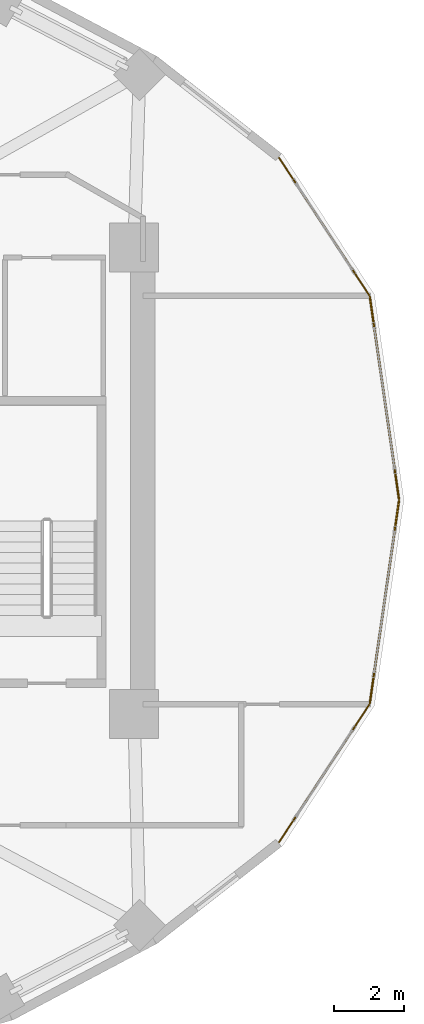
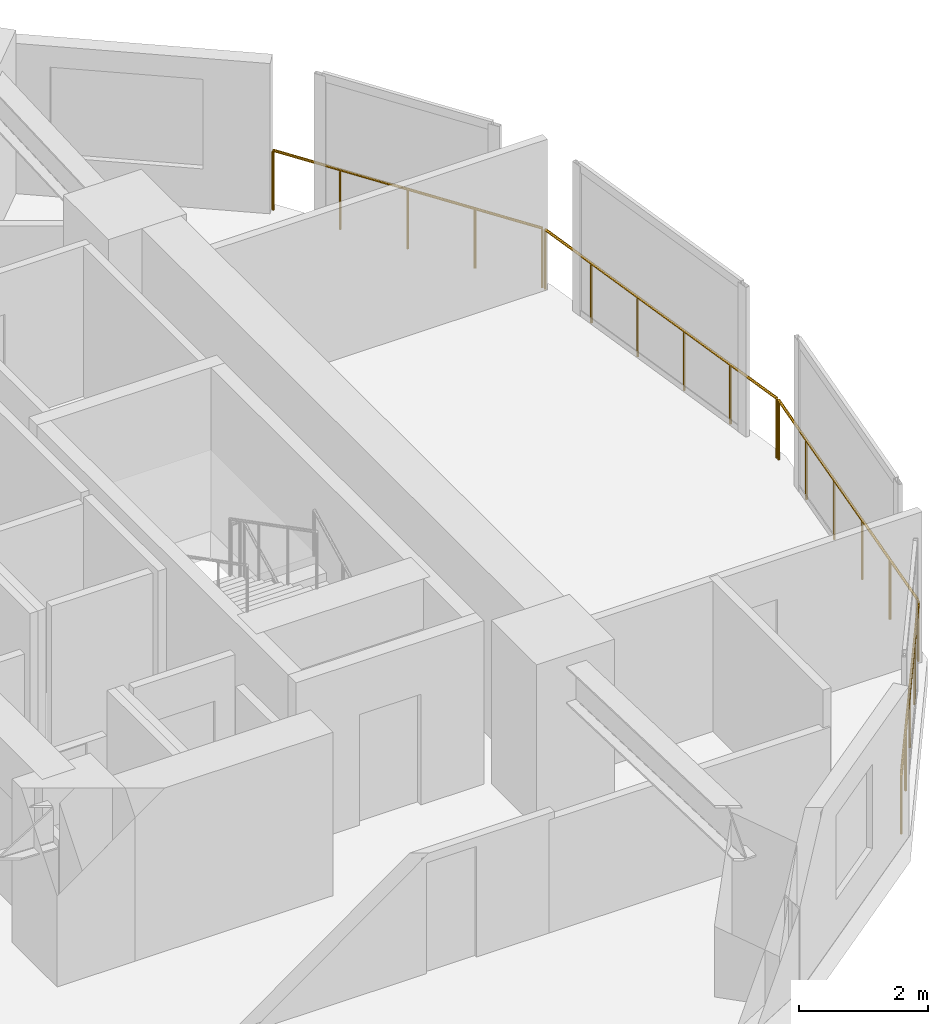
# One storey, part 13 of 13: 4 railings.
"""IFC4 building model written with IfcOpenShell, lengths in metres."""

from ifc_helpers import new_model, si_unit, direction, frame, origin, origin_2d, place, context, subcontext, project, spatial, circle, extrude, material, type_object, element, save


model = new_model("IFC4")

# Units and contexts
model_context = context("Model", 3, precision=1e-05, world=origin(), true_north=direction((0.0, 1.0)))
body_context = subcontext(model_context, "Body", "Model", "MODEL_VIEW")
ifc_project = project(units=[si_unit("LENGTHUNIT", "METRE"), si_unit("AREAUNIT", "SQUARE_METRE"), si_unit("VOLUMEUNIT", "CUBIC_METRE"), si_unit("PLANEANGLEUNIT", "RADIAN"), si_unit("MASSUNIT", "GRAM", prefix="KILO")], contexts=[model_context])

# Site, building, storey
site_placement = place(None, origin())
site = spatial("IfcSite", under=ifc_project, at=site_placement, CompositionType="ELEMENT")
building_placement = place(site_placement, origin())
building = spatial("IfcBuilding", under=site, at=building_placement, Name="Solvane Sanctuary Tower", CompositionType="ELEMENT")
storey_placement = place(building_placement, frame((0.0, 0.0, 85.60009765625)))
storey = spatial("IfcBuildingStorey", under=building, at=storey_placement, Name="L25", CompositionType="ELEMENT", Elevation=85.60009765625)

# Railings
ifc_material = material(Name="Architectural Stainless Steel 316", Category="steel")
railing_type = type_object("IfcRailingType", Name="Railing GR-BALC-1150", PredefinedType="BALUSTRADE", material=ifc_material)
railing_1_placement = place(storey_placement, frame((56.255615234375, 23.02978515625, 0.0)))
element("IfcRailing", 1, at=railing_1_placement, inside=storey, type_object=railing_type, Name="L25 Curtain-Wall Perimeter Sill Guard 00", PredefinedType="BALUSTRADE", context=body_context, shape_type="SweptSolid", body=[
    extrude(circle(Radius=0.02392578125, at=origin_2d()), frame((0.0, 0.0, 1.1259765625), z_axis=(-0.142572582449, 0.98978434961, 0.0), x_axis=(-0.98978434961, -0.142572582449, 0.0)), (0.0, 0.0, 1.0), 5.818603515625),
    extrude(circle(Radius=0.02099609375, at=origin_2d()), origin(), (0.0, 0.0, 1.0), 1.101806640625),
    extrude(circle(Radius=0.02099609375, at=origin_2d()), frame((-0.166015625, 1.15185546875, 0.0)), (0.0, 0.0, 1.0), 1.101806640625),
    extrude(circle(Radius=0.02099609375, at=origin_2d()), frame((-0.331787109375, 2.3037109375, 0.0)), (0.0, 0.0, 1.0), 1.101806640625),
    extrude(circle(Radius=0.02099609375, at=origin_2d()), frame((-0.497802734375, 3.45556640625, 0.0)), (0.0, 0.0, 1.0), 1.101806640625),
    extrude(circle(Radius=0.02099609375, at=origin_2d()), frame((-0.66357421875, 4.607421875, 0.0)), (0.0, 0.0, 1.0), 1.101806640625),
    extrude(circle(Radius=0.02099609375, at=origin_2d()), frame((-0.82958984375, 5.75927734375, 0.0)), (0.0, 0.0, 1.0), 1.101806640625),
])
railing_2_placement = place(storey_placement, frame((55.405517578125, 28.84375, 0.0)))
element("IfcRailing", 2, at=railing_2_placement, inside=storey, type_object=railing_type, Name="L25 Curtain-Wall Perimeter Sill Guard 01", PredefinedType="BALUSTRADE", context=body_context, shape_type="SweptSolid", body=[
    extrude(circle(Radius=0.02392578125, at=origin_2d()), frame((0.0, 0.0, 1.1259765625), z_axis=(-0.548321711093, 0.836267481817, 0.0), x_axis=(-0.836267481817, -0.548321711093, 0.0)), (0.0, 0.0, 1.0), 4.6845703125),
    extrude(circle(Radius=0.02099609375, at=origin_2d()), origin(), (0.0, 0.0, 1.0), 1.101806640625),
    extrude(circle(Radius=0.02099609375, at=origin_2d()), frame((-0.64208984375, 0.9794921875, 0.0)), (0.0, 0.0, 1.0), 1.101806640625),
    extrude(circle(Radius=0.02099609375, at=origin_2d()), frame((-1.2841796875, 1.958740234375, 0.0)), (0.0, 0.0, 1.0), 1.101806640625),
    extrude(circle(Radius=0.02099609375, at=origin_2d()), frame((-1.926513671875, 2.93798828125, 0.0)), (0.0, 0.0, 1.0), 1.101806640625),
    extrude(circle(Radius=0.02099609375, at=origin_2d()), frame((-2.568603515625, 3.91748046875, 0.0)), (0.0, 0.0, 1.0), 1.101806640625),
])
railing_3_placement = place(storey_placement, frame((52.8369140625, 13.23876953125, 0.0)))
element("IfcRailing", 3, at=railing_3_placement, inside=storey, type_object=railing_type, Name="L25 Curtain-Wall Perimeter Sill Guard 22", PredefinedType="BALUSTRADE", context=body_context, shape_type="SweptSolid", body=[
    extrude(circle(Radius=0.02392578125, at=origin_2d()), frame((0.0, 0.0, 1.1259765625), z_axis=(0.548321711093, 0.836267481817, 0.0), x_axis=(-0.836267481817, 0.548321711093, 0.0)), (0.0, 0.0, 1.0), 4.6845703125),
    extrude(circle(Radius=0.02099609375, at=origin_2d()), origin(), (0.0, 0.0, 1.0), 1.101806640625),
    extrude(circle(Radius=0.02099609375, at=origin_2d()), frame((0.64208984375, 0.9794921875, 0.0)), (0.0, 0.0, 1.0), 1.101806640625),
    extrude(circle(Radius=0.02099609375, at=origin_2d()), frame((1.2841796875, 1.958740234375, 0.0)), (0.0, 0.0, 1.0), 1.101806640625),
    extrude(circle(Radius=0.02099609375, at=origin_2d()), frame((1.926513671875, 2.93798828125, 0.0)), (0.0, 0.0, 1.0), 1.101806640625),
    extrude(circle(Radius=0.02099609375, at=origin_2d()), frame((2.568603515625, 3.91748046875, 0.0)), (0.0, 0.0, 1.0), 1.101806640625),
])
railing_4_placement = place(storey_placement, frame((55.426025390625, 17.2109375, 0.0)))
element("IfcRailing", 4, at=railing_4_placement, inside=storey, type_object=railing_type, Name="L25 Curtain-Wall Perimeter Sill Guard 23", PredefinedType="BALUSTRADE", context=body_context, shape_type="SweptSolid", body=[
    extrude(circle(Radius=0.02392578125, at=origin_2d()), frame((0.0, 0.0, 1.1259765625), z_axis=(0.142572582449, 0.98978434961, 0.0), x_axis=(-0.98978434961, 0.142572582449, 0.0)), (0.0, 0.0, 1.0), 5.818603515625),
    extrude(circle(Radius=0.02099609375, at=origin_2d()), origin(), (0.0, 0.0, 1.0), 1.101806640625),
    extrude(circle(Radius=0.02099609375, at=origin_2d()), frame((0.166015625, 1.15185546875, 0.0)), (0.0, 0.0, 1.0), 1.101806640625),
    extrude(circle(Radius=0.02099609375, at=origin_2d()), frame((0.331787109375, 2.3037109375, 0.0)), (0.0, 0.0, 1.0), 1.101806640625),
    extrude(circle(Radius=0.02099609375, at=origin_2d()), frame((0.497802734375, 3.45556640625, 0.0)), (0.0, 0.0, 1.0), 1.101806640625),
    extrude(circle(Radius=0.02099609375, at=origin_2d()), frame((0.66357421875, 4.607421875, 0.0)), (0.0, 0.0, 1.0), 1.101806640625),
    extrude(circle(Radius=0.02099609375, at=origin_2d()), frame((0.82958984375, 5.75927734375, 0.0)), (0.0, 0.0, 1.0), 1.101806640625),
])

save(model, "model.ifc")
